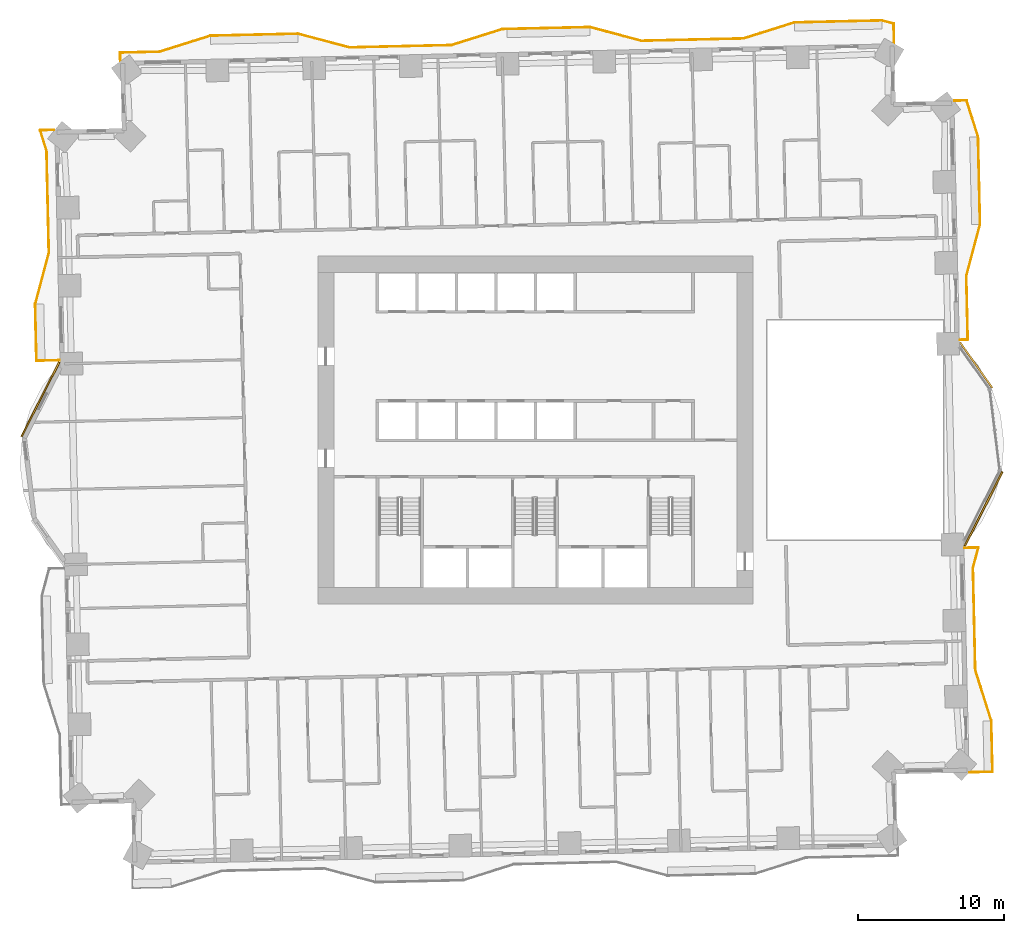
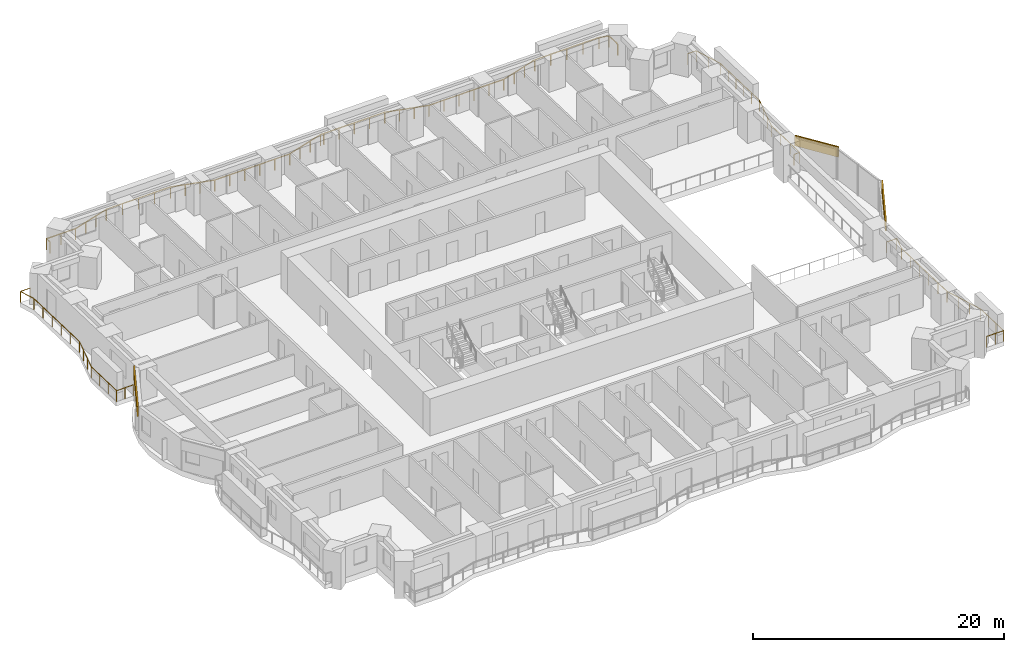
# One storey, part 16 of 16: 4 railings, 3 coverings.
"""IFC4 building model written with IfcOpenShell, lengths in metres."""

from ifc_helpers import new_model, si_unit, direction, frame, frame_2d, origin, origin_2d, place, context, subcontext, project, spatial, rectangle, extrude, material, layer, layer_set, type_object, element, save


model = new_model("IFC4")

# Units and contexts
model_context = context("Model", 3, precision=1e-05, world=origin(), true_north=direction((0.0, 1.0)))
body_context = subcontext(model_context, "Body", "Model", "MODEL_VIEW")
ifc_project = project(units=[si_unit("LENGTHUNIT", "METRE"), si_unit("AREAUNIT", "SQUARE_METRE"), si_unit("VOLUMEUNIT", "CUBIC_METRE"), si_unit("PLANEANGLEUNIT", "RADIAN"), si_unit("MASSUNIT", "GRAM", prefix="KILO")], contexts=[model_context])

# Site, building, storey
site_placement = place(None, origin())
site = spatial("IfcSite", under=ifc_project, at=site_placement, CompositionType="ELEMENT")
building_placement = place(site_placement, origin())
building = spatial("IfcBuilding", under=site, at=building_placement, Name="Mangrove Gate Tower", CompositionType="ELEMENT")
storey_placement = place(building_placement, frame((0.0, 0.0, 41.300048828125)))
storey = spatial("IfcBuildingStorey", under=building, at=storey_placement, Name="L09", CompositionType="ELEMENT", Elevation=41.300048828125)

# Railings
ifc_material_1 = material(Name="Stainless steel grade 316 with laminated glass infill", Category="steel")
railing_type = type_object("IfcRailingType", Name="Balcony guard 1100", PredefinedType="GUARDRAIL", material=ifc_material_1)
railing_1_placement = place(storey_placement, frame((29.742919921875, -23.444091796875, 0.0)))
element("IfcRailing", 1, at=railing_1_placement, inside=storey, type_object=railing_type, Name="GUARD L09 E1", PredefinedType="GUARDRAIL", context=body_context, shape_type="SweptSolid", body=[
    extrude(rectangle(XDim=0.048095703125, YDim=0.048095703125, at=origin_2d()), frame((0.0, 0.0, 1.076171875), z_axis=(0.999747444651, 0.022473248834, 0.0), x_axis=(-0.022473248834, 0.999747444651, 0.0)), (0.0, 0.0, 1.0), 1.564453125),
    extrude(rectangle(XDim=0.048095703125, YDim=0.048095703125, at=origin_2d()), frame((1.56396484375, 0.03515625, 1.076171875), z_axis=(-0.022810139511, 0.99973981492, 0.0), x_axis=(-0.99973981492, -0.022810139511, 0.0)), (0.0, 0.0, 1.0), 3.5),
    extrude(rectangle(XDim=0.048095703125, YDim=0.048095703125, at=origin_2d()), frame((1.484130859375, 3.5341796875, 1.076171875), z_axis=(-0.300711352929, 0.953715199742, 0.0), x_axis=(-0.953715199742, -0.300711352929, 0.0)), (0.0, 0.0, 1.0), 3.64453125),
    extrude(rectangle(XDim=0.048095703125, YDim=0.048095703125, at=origin_2d()), frame((0.38818359375, 7.010009765625, 1.076171875), z_axis=(-0.022740419861, 0.999741403216, 0.0), x_axis=(-0.999741403216, -0.022740419861, 0.0)), (0.0, 0.0, 1.0), 6.999755859375),
    extrude(rectangle(XDim=0.048095703125, YDim=0.048095703125, at=origin_2d()), frame((0.22900390625, 14.008056640625, 1.076171875), z_axis=(0.257068433304, 0.966393201859, 0.0), x_axis=(-0.966393201859, 0.257068433304, 0.0)), (0.0, 0.0, 1.0), 1.43212890625),
    extrude(rectangle(XDim=0.048095703125, YDim=0.048095703125, at=origin_2d()), frame((0.59716796875, 15.39208984375, 1.076171875), z_axis=(-0.999730390031, -0.023219544543, 0.0), x_axis=(0.023219544543, -0.999730390031, 0.0)), (0.0, 0.0, 1.0), 0.9462890625),
    extrude(rectangle(XDim=0.0419921875, YDim=0.0419921875, at=origin_2d()), origin(), (0.0, 0.0, 1.0), 1.052001953125),
    extrude(rectangle(XDim=0.0419921875, YDim=0.0419921875, at=origin_2d()), frame((0.781982421875, 0.017578125, 0.0)), (0.0, 0.0, 1.0), 1.052001953125),
    extrude(rectangle(XDim=0.0419921875, YDim=0.0419921875, at=origin_2d()), frame((1.56396484375, 0.03515625, 0.0)), (0.0, 0.0, 1.0), 1.052001953125),
    extrude(rectangle(XDim=0.0419921875, YDim=0.0419921875, at=origin_2d()), frame((1.537353515625, 1.201416015625, 0.0)), (0.0, 0.0, 1.0), 1.052001953125),
    extrude(rectangle(XDim=0.0419921875, YDim=0.0419921875, at=origin_2d()), frame((1.5107421875, 2.367919921875, 0.0)), (0.0, 0.0, 1.0), 1.052001953125),
    extrude(rectangle(XDim=0.0419921875, YDim=0.0419921875, at=origin_2d()), frame((1.484130859375, 3.5341796875, 0.0)), (0.0, 0.0, 1.0), 1.052001953125),
    extrude(rectangle(XDim=0.0419921875, YDim=0.0419921875, at=origin_2d()), frame((1.118896484375, 4.69287109375, 0.0)), (0.0, 0.0, 1.0), 1.052001953125),
    extrude(rectangle(XDim=0.0419921875, YDim=0.0419921875, at=origin_2d()), frame((0.75341796875, 5.851318359375, 0.0)), (0.0, 0.0, 1.0), 1.052001953125),
    extrude(rectangle(XDim=0.0419921875, YDim=0.0419921875, at=origin_2d()), frame((0.38818359375, 7.010009765625, 0.0)), (0.0, 0.0, 1.0), 1.052001953125),
    extrude(rectangle(XDim=0.0419921875, YDim=0.0419921875, at=origin_2d()), frame((0.3564453125, 8.40966796875, 0.0)), (0.0, 0.0, 1.0), 1.052001953125),
    extrude(rectangle(XDim=0.0419921875, YDim=0.0419921875, at=origin_2d()), frame((0.324462890625, 9.809326171875, 0.0)), (0.0, 0.0, 1.0), 1.052001953125),
    extrude(rectangle(XDim=0.0419921875, YDim=0.0419921875, at=origin_2d()), frame((0.292724609375, 11.208740234375, 0.0)), (0.0, 0.0, 1.0), 1.052001953125),
    extrude(rectangle(XDim=0.0419921875, YDim=0.0419921875, at=origin_2d()), frame((0.2607421875, 12.6083984375, 0.0)), (0.0, 0.0, 1.0), 1.052001953125),
    extrude(rectangle(XDim=0.0419921875, YDim=0.0419921875, at=origin_2d()), frame((0.22900390625, 14.008056640625, 0.0)), (0.0, 0.0, 1.0), 1.052001953125),
    extrude(rectangle(XDim=0.0419921875, YDim=0.0419921875, at=origin_2d()), frame((0.59716796875, 15.39208984375, 0.0)), (0.0, 0.0, 1.0), 1.052001953125),
    extrude(rectangle(XDim=0.0419921875, YDim=0.0419921875, at=origin_2d()), frame((-0.348876953125, 15.3701171875, 0.0)), (0.0, 0.0, 1.0), 1.052001953125),
])
railing_2_placement = place(storey_placement, frame((29.070068359375, 6.173095703125, 0.0)))
element("IfcRailing", 2, at=railing_2_placement, inside=storey, type_object=railing_type, Name="GUARD L09 E2", PredefinedType="GUARDRAIL", context=body_context, shape_type="SweptSolid", body=[
    extrude(rectangle(XDim=0.048095703125, YDim=0.048095703125, at=origin_2d()), frame((0.0, 0.0, 1.076171875), z_axis=(0.99976082802, 0.021869768113, 0.0), x_axis=(-0.021869768113, 0.99976082802, 0.0)), (0.0, 0.0, 1.0), 0.547119140625),
    extrude(rectangle(XDim=0.048095703125, YDim=0.048095703125, at=origin_2d()), frame((0.546875, 0.011962890625, 1.076171875), z_axis=(-0.022599718713, 0.999744593741, 0.0), x_axis=(-0.999744593741, -0.022599718713, 0.0)), (0.0, 0.0, 1.0), 4.375244140625),
    extrude(rectangle(XDim=0.048095703125, YDim=0.048095703125, at=origin_2d()), frame((0.447998046875, 4.385986328125, 1.076171875), z_axis=(0.257354119999, 0.966317161661, 0.0), x_axis=(-0.966317161661, 0.257354119999, 0.0)), (0.0, 0.0, 1.0), 3.644775390625),
    extrude(rectangle(XDim=0.048095703125, YDim=0.048095703125, at=origin_2d()), frame((1.385986328125, 7.907958984375, 1.076171875), z_axis=(-0.022662255828, 0.999743178102, 0.0), x_axis=(-0.999743178102, -0.022662255828, 0.0)), (0.0, 0.0, 1.0), 6.00048828125),
    extrude(rectangle(XDim=0.048095703125, YDim=0.048095703125, at=origin_2d()), frame((1.25, 13.906982421875, 1.076171875), z_axis=(-0.301167266968, 0.953571327855, 0.0), x_axis=(-0.953571327855, -0.301167266968, 0.0)), (0.0, 0.0, 1.0), 2.603759765625),
    extrude(rectangle(XDim=0.048095703125, YDim=0.048095703125, at=origin_2d()), frame((0.4658203125, 16.389892578125, 1.076171875), z_axis=(-0.999741232943, -0.022747904367, 0.0), x_axis=(0.022747904367, -0.999741232943, 0.0)), (0.0, 0.0, 1.0), 0.837158203125),
    extrude(rectangle(XDim=0.0419921875, YDim=0.0419921875, at=origin_2d()), origin(), (0.0, 0.0, 1.0), 1.052001953125),
    extrude(rectangle(XDim=0.0419921875, YDim=0.0419921875, at=origin_2d()), frame((0.546875, 0.011962890625, 0.0)), (0.0, 0.0, 1.0), 1.052001953125),
    extrude(rectangle(XDim=0.0419921875, YDim=0.0419921875, at=origin_2d()), frame((0.513916015625, 1.469970703125, 0.0)), (0.0, 0.0, 1.0), 1.052001953125),
    extrude(rectangle(XDim=0.0419921875, YDim=0.0419921875, at=origin_2d()), frame((0.48095703125, 2.927978515625, 0.0)), (0.0, 0.0, 1.0), 1.052001953125),
    extrude(rectangle(XDim=0.0419921875, YDim=0.0419921875, at=origin_2d()), frame((0.447998046875, 4.385986328125, 0.0)), (0.0, 0.0, 1.0), 1.052001953125),
    extrude(rectangle(XDim=0.0419921875, YDim=0.0419921875, at=origin_2d()), frame((0.7607421875, 5.56005859375, 0.0)), (0.0, 0.0, 1.0), 1.052001953125),
    extrude(rectangle(XDim=0.0419921875, YDim=0.0419921875, at=origin_2d()), frame((1.0732421875, 6.73388671875, 0.0)), (0.0, 0.0, 1.0), 1.052001953125),
    extrude(rectangle(XDim=0.0419921875, YDim=0.0419921875, at=origin_2d()), frame((1.385986328125, 7.907958984375, 0.0)), (0.0, 0.0, 1.0), 1.052001953125),
    extrude(rectangle(XDim=0.0419921875, YDim=0.0419921875, at=origin_2d()), frame((1.35888671875, 9.107666015625, 0.0)), (0.0, 0.0, 1.0), 1.052001953125),
    extrude(rectangle(XDim=0.0419921875, YDim=0.0419921875, at=origin_2d()), frame((1.33154296875, 10.3076171875, 0.0)), (0.0, 0.0, 1.0), 1.052001953125),
    extrude(rectangle(XDim=0.0419921875, YDim=0.0419921875, at=origin_2d()), frame((1.304443359375, 11.50732421875, 0.0)), (0.0, 0.0, 1.0), 1.052001953125),
    extrude(rectangle(XDim=0.0419921875, YDim=0.0419921875, at=origin_2d()), frame((1.277099609375, 12.707275390625, 0.0)), (0.0, 0.0, 1.0), 1.052001953125),
    extrude(rectangle(XDim=0.0419921875, YDim=0.0419921875, at=origin_2d()), frame((1.25, 13.906982421875, 0.0)), (0.0, 0.0, 1.0), 1.052001953125),
    extrude(rectangle(XDim=0.0419921875, YDim=0.0419921875, at=origin_2d()), frame((0.85791015625, 15.1484375, 0.0)), (0.0, 0.0, 1.0), 1.052001953125),
    extrude(rectangle(XDim=0.0419921875, YDim=0.0419921875, at=origin_2d()), frame((0.4658203125, 16.389892578125, 0.0)), (0.0, 0.0, 1.0), 1.052001953125),
    extrude(rectangle(XDim=0.0419921875, YDim=0.0419921875, at=origin_2d()), frame((-0.37109375, 16.370849609375, 0.0)), (0.0, 0.0, 1.0), 1.052001953125),
])
railing_3_placement = place(storey_placement, frame((24.568115234375, 26.490966796875, 0.0)))
element("IfcRailing", 3, at=railing_3_placement, inside=storey, type_object=railing_type, Name="GUARD L09 N1", PredefinedType="GUARDRAIL", context=body_context, shape_type="SweptSolid", body=[
    extrude(rectangle(XDim=0.048095703125, YDim=0.048095703125, at=origin_2d()), frame((0.0, 0.0, 1.076171875), z_axis=(-0.022538261671, 0.999745981118, 0.0), x_axis=(-0.999745981118, -0.022538261671, 0.0)), (0.0, 0.0, 1.0), 1.332275390625),
    extrude(rectangle(XDim=0.048095703125, YDim=0.048095703125, at=origin_2d()), frame((-0.030029296875, 1.33203125, 1.076171875), z_axis=(-0.966414656305, 0.256987766398, 0.0), x_axis=(-0.256987766398, -0.966414656305, 0.0)), (0.0, 0.0, 1.0), 0.833251953125),
    extrude(rectangle(XDim=0.048095703125, YDim=0.048095703125, at=origin_2d()), frame((-0.835205078125, 1.546142578125, 1.076171875), z_axis=(-0.999742150584, -0.022707539383, 0.0), x_axis=(0.022707539383, -0.999742150584, 0.0)), (0.0, 0.0, 1.0), 5.999267578125),
    extrude(rectangle(XDim=0.048095703125, YDim=0.048095703125, at=origin_2d()), frame((-6.8330078125, 1.409912109375, 1.076171875), z_axis=(-0.953644393819, -0.300935823952, 0.0), x_axis=(0.300935823952, -0.953644393819, 0.0)), (0.0, 0.0, 1.0), 3.64501953125),
    extrude(rectangle(XDim=0.048095703125, YDim=0.048095703125, at=origin_2d()), frame((-10.30908203125, 0.31298828125, 1.076171875), z_axis=(-0.999742267452, -0.022702393474, 0.0), x_axis=(0.022702393474, -0.999742267452, 0.0)), (0.0, 0.0, 1.0), 7.000732421875),
    extrude(rectangle(XDim=0.048095703125, YDim=0.048095703125, at=origin_2d()), frame((-17.30810546875, 0.154052734375, 1.076171875), z_axis=(-0.966317161661, 0.257354119999, 0.0), x_axis=(-0.257354119999, -0.966317161661, 0.0)), (0.0, 0.0, 1.0), 3.644775390625),
    extrude(rectangle(XDim=0.048095703125, YDim=0.048095703125, at=origin_2d()), frame((-20.830078125, 1.092041015625, 1.076171875), z_axis=(-0.999744196375, -0.022617290187, 0.0), x_axis=(0.022617290187, -0.999744196375, 0.0)), (0.0, 0.0, 1.0), 5.699462890625),
    extrude(rectangle(XDim=0.048095703125, YDim=0.048095703125, at=origin_2d()), frame((-26.528076171875, 0.963134765625, 1.076171875), z_axis=(-0.999721720687, -0.023589853458, 0.0), x_axis=(0.023589853458, -0.999721720687, 0.0)), (0.0, 0.0, 1.0), 0.300048828125),
    extrude(rectangle(XDim=0.048095703125, YDim=0.048095703125, at=origin_2d()), frame((-26.828125, 0.9560546875, 1.076171875), z_axis=(-0.953644393819, -0.300935823952, 0.0), x_axis=(0.300935823952, -0.953644393819, 0.0)), (0.0, 0.0, 1.0), 3.64501953125),
    extrude(rectangle(XDim=0.048095703125, YDim=0.048095703125, at=origin_2d()), frame((-30.30419921875, -0.140869140625, 1.076171875), z_axis=(-0.999744547421, -0.02260176767, 0.0), x_axis=(0.02260176767, -0.999744547421, 0.0)), (0.0, 0.0, 1.0), 6.99951171875),
    extrude(rectangle(XDim=0.048095703125, YDim=0.048095703125, at=origin_2d()), frame((-37.302001953125, -0.299072265625, 1.076171875), z_axis=(-0.966405896063, 0.257020707442, 0.0), x_axis=(-0.257020707442, -0.966405896063, 0.0)), (0.0, 0.0, 1.0), 3.645751953125),
    extrude(rectangle(XDim=0.048095703125, YDim=0.048095703125, at=origin_2d()), frame((-40.8251953125, 0.637939453125, 1.076171875), z_axis=(-0.999743073592, -0.022666865795, 0.0), x_axis=(0.022666865795, -0.999743073592, 0.0)), (0.0, 0.0, 1.0), 5.999267578125),
    extrude(rectangle(XDim=0.048095703125, YDim=0.048095703125, at=origin_2d()), frame((-46.822998046875, 0.501953125, 1.076171875), z_axis=(-0.953721256752, -0.300692142264, 0.0), x_axis=(0.300692142264, -0.953721256752, 0.0)), (0.0, 0.0, 1.0), 3.644775390625),
    extrude(rectangle(XDim=0.048095703125, YDim=0.048095703125, at=origin_2d()), frame((-50.299072265625, -0.593994140625, 1.076171875), z_axis=(-0.999736155505, -0.022969966847, 0.0), x_axis=(0.022969966847, -0.999736155505, 0.0)), (0.0, 0.0, 1.0), 2.69970703125),
    extrude(rectangle(XDim=0.048095703125, YDim=0.048095703125, at=origin_2d()), frame((-52.998046875, -0.656005859375, 1.076171875), z_axis=(0.021908872371, -0.999759971849, 0.0), x_axis=(0.999759971849, 0.021908872371, 0.0)), (0.0, 0.0, 1.0), 0.546142578125),
    extrude(rectangle(XDim=0.0419921875, YDim=0.0419921875, at=origin_2d()), origin(), (0.0, 0.0, 1.0), 1.052001953125),
    extrude(rectangle(XDim=0.0419921875, YDim=0.0419921875, at=origin_2d()), frame((-0.030029296875, 1.33203125, 0.0)), (0.0, 0.0, 1.0), 1.052001953125),
    extrude(rectangle(XDim=0.0419921875, YDim=0.0419921875, at=origin_2d()), frame((-0.835205078125, 1.546142578125, 0.0)), (0.0, 0.0, 1.0), 1.052001953125),
    extrude(rectangle(XDim=0.0419921875, YDim=0.0419921875, at=origin_2d()), frame((-2.334716796875, 1.51220703125, 0.0)), (0.0, 0.0, 1.0), 1.052001953125),
    extrude(rectangle(XDim=0.0419921875, YDim=0.0419921875, at=origin_2d()), frame((-3.833984375, 1.47802734375, 0.0)), (0.0, 0.0, 1.0), 1.052001953125),
    extrude(rectangle(XDim=0.0419921875, YDim=0.0419921875, at=origin_2d()), frame((-5.33349609375, 1.44384765625, 0.0)), (0.0, 0.0, 1.0), 1.052001953125),
    extrude(rectangle(XDim=0.0419921875, YDim=0.0419921875, at=origin_2d()), frame((-6.8330078125, 1.409912109375, 0.0)), (0.0, 0.0, 1.0), 1.052001953125),
    extrude(rectangle(XDim=0.0419921875, YDim=0.0419921875, at=origin_2d()), frame((-7.99169921875, 1.044189453125, 0.0)), (0.0, 0.0, 1.0), 1.052001953125),
    extrude(rectangle(XDim=0.0419921875, YDim=0.0419921875, at=origin_2d()), frame((-9.150390625, 0.6787109375, 0.0)), (0.0, 0.0, 1.0), 1.052001953125),
    extrude(rectangle(XDim=0.0419921875, YDim=0.0419921875, at=origin_2d()), frame((-10.30908203125, 0.31298828125, 0.0)), (0.0, 0.0, 1.0), 1.052001953125),
    extrude(rectangle(XDim=0.0419921875, YDim=0.0419921875, at=origin_2d()), frame((-11.708984375, 0.28125, 0.0)), (0.0, 0.0, 1.0), 1.052001953125),
    extrude(rectangle(XDim=0.0419921875, YDim=0.0419921875, at=origin_2d()), frame((-13.108642578125, 0.24951171875, 0.0)), (0.0, 0.0, 1.0), 1.052001953125),
    extrude(rectangle(XDim=0.0419921875, YDim=0.0419921875, at=origin_2d()), frame((-14.508544921875, 0.217529296875, 0.0)), (0.0, 0.0, 1.0), 1.052001953125),
    extrude(rectangle(XDim=0.0419921875, YDim=0.0419921875, at=origin_2d()), frame((-15.908203125, 0.185791015625, 0.0)), (0.0, 0.0, 1.0), 1.052001953125),
    extrude(rectangle(XDim=0.0419921875, YDim=0.0419921875, at=origin_2d()), frame((-17.30810546875, 0.154052734375, 0.0)), (0.0, 0.0, 1.0), 1.052001953125),
    extrude(rectangle(XDim=0.0419921875, YDim=0.0419921875, at=origin_2d()), frame((-18.482177734375, 0.466796875, 0.0)), (0.0, 0.0, 1.0), 1.052001953125),
    extrude(rectangle(XDim=0.0419921875, YDim=0.0419921875, at=origin_2d()), frame((-19.656005859375, 0.779296875, 0.0)), (0.0, 0.0, 1.0), 1.052001953125),
    extrude(rectangle(XDim=0.0419921875, YDim=0.0419921875, at=origin_2d()), frame((-20.830078125, 1.092041015625, 0.0)), (0.0, 0.0, 1.0), 1.052001953125),
    extrude(rectangle(XDim=0.0419921875, YDim=0.0419921875, at=origin_2d()), frame((-22.254638671875, 1.059814453125, 0.0)), (0.0, 0.0, 1.0), 1.052001953125),
    extrude(rectangle(XDim=0.0419921875, YDim=0.0419921875, at=origin_2d()), frame((-23.67919921875, 1.027587890625, 0.0)), (0.0, 0.0, 1.0), 1.052001953125),
    extrude(rectangle(XDim=0.0419921875, YDim=0.0419921875, at=origin_2d()), frame((-25.103515625, 0.995361328125, 0.0)), (0.0, 0.0, 1.0), 1.052001953125),
    extrude(rectangle(XDim=0.0419921875, YDim=0.0419921875, at=origin_2d()), frame((-26.528076171875, 0.963134765625, 0.0)), (0.0, 0.0, 1.0), 1.052001953125),
    extrude(rectangle(XDim=0.0419921875, YDim=0.0419921875, at=origin_2d()), frame((-26.828125, 0.9560546875, 0.0)), (0.0, 0.0, 1.0), 1.052001953125),
    extrude(rectangle(XDim=0.0419921875, YDim=0.0419921875, at=origin_2d()), frame((-27.98681640625, 0.59033203125, 0.0)), (0.0, 0.0, 1.0), 1.052001953125),
    extrude(rectangle(XDim=0.0419921875, YDim=0.0419921875, at=origin_2d()), frame((-29.1455078125, 0.224853515625, 0.0)), (0.0, 0.0, 1.0), 1.052001953125),
    extrude(rectangle(XDim=0.0419921875, YDim=0.0419921875, at=origin_2d()), frame((-30.30419921875, -0.140869140625, 0.0)), (0.0, 0.0, 1.0), 1.052001953125),
    extrude(rectangle(XDim=0.0419921875, YDim=0.0419921875, at=origin_2d()), frame((-31.703857421875, -0.172607421875, 0.0)), (0.0, 0.0, 1.0), 1.052001953125),
    extrude(rectangle(XDim=0.0419921875, YDim=0.0419921875, at=origin_2d()), frame((-33.103271484375, -0.2041015625, 0.0)), (0.0, 0.0, 1.0), 1.052001953125),
    extrude(rectangle(XDim=0.0419921875, YDim=0.0419921875, at=origin_2d()), frame((-34.5029296875, -0.23583984375, 0.0)), (0.0, 0.0, 1.0), 1.052001953125),
    extrude(rectangle(XDim=0.0419921875, YDim=0.0419921875, at=origin_2d()), frame((-35.90234375, -0.267333984375, 0.0)), (0.0, 0.0, 1.0), 1.052001953125),
    extrude(rectangle(XDim=0.0419921875, YDim=0.0419921875, at=origin_2d()), frame((-37.302001953125, -0.299072265625, 0.0)), (0.0, 0.0, 1.0), 1.052001953125),
    extrude(rectangle(XDim=0.0419921875, YDim=0.0419921875, at=origin_2d()), frame((-38.476318359375, 0.01318359375, 0.0)), (0.0, 0.0, 1.0), 1.052001953125),
    extrude(rectangle(XDim=0.0419921875, YDim=0.0419921875, at=origin_2d()), frame((-39.65087890625, 0.32568359375, 0.0)), (0.0, 0.0, 1.0), 1.052001953125),
    extrude(rectangle(XDim=0.0419921875, YDim=0.0419921875, at=origin_2d()), frame((-40.8251953125, 0.637939453125, 0.0)), (0.0, 0.0, 1.0), 1.052001953125),
    extrude(rectangle(XDim=0.0419921875, YDim=0.0419921875, at=origin_2d()), frame((-42.32470703125, 0.60400390625, 0.0)), (0.0, 0.0, 1.0), 1.052001953125),
    extrude(rectangle(XDim=0.0419921875, YDim=0.0419921875, at=origin_2d()), frame((-43.82421875, 0.56982421875, 0.0)), (0.0, 0.0, 1.0), 1.052001953125),
    extrude(rectangle(XDim=0.0419921875, YDim=0.0419921875, at=origin_2d()), frame((-45.323486328125, 0.535888671875, 0.0)), (0.0, 0.0, 1.0), 1.052001953125),
    extrude(rectangle(XDim=0.0419921875, YDim=0.0419921875, at=origin_2d()), frame((-46.822998046875, 0.501953125, 0.0)), (0.0, 0.0, 1.0), 1.052001953125),
    extrude(rectangle(XDim=0.0419921875, YDim=0.0419921875, at=origin_2d()), frame((-47.981689453125, 0.13671875, 0.0)), (0.0, 0.0, 1.0), 1.052001953125),
    extrude(rectangle(XDim=0.0419921875, YDim=0.0419921875, at=origin_2d()), frame((-49.140380859375, -0.228759765625, 0.0)), (0.0, 0.0, 1.0), 1.052001953125),
    extrude(rectangle(XDim=0.0419921875, YDim=0.0419921875, at=origin_2d()), frame((-50.299072265625, -0.593994140625, 0.0)), (0.0, 0.0, 1.0), 1.052001953125),
    extrude(rectangle(XDim=0.0419921875, YDim=0.0419921875, at=origin_2d()), frame((-51.6484375, -0.625, 0.0)), (0.0, 0.0, 1.0), 1.052001953125),
    extrude(rectangle(XDim=0.0419921875, YDim=0.0419921875, at=origin_2d()), frame((-52.998046875, -0.656005859375, 0.0)), (0.0, 0.0, 1.0), 1.052001953125),
    extrude(rectangle(XDim=0.0419921875, YDim=0.0419921875, at=origin_2d()), frame((-52.986083984375, -1.201904296875, 0.0)), (0.0, 0.0, 1.0), 1.052001953125),
])
railing_4_placement = place(storey_placement, frame((-32.951904296875, 20.5439453125, 0.0)))
element("IfcRailing", 4, at=railing_4_placement, inside=storey, type_object=railing_type, Name="GUARD L09 W1", PredefinedType="GUARDRAIL", context=body_context, shape_type="SweptSolid", body=[
    extrude(rectangle(XDim=0.048095703125, YDim=0.048095703125, at=origin_2d()), frame((0.0, 0.0, 1.076171875), z_axis=(-0.99975745671, -0.022023345614, 0.0), x_axis=(0.022023345614, -0.99975745671, 0.0)), (0.0, 0.0, 1.0), 0.953369140625),
    extrude(rectangle(XDim=0.048095703125, YDim=0.048095703125, at=origin_2d()), frame((-0.953125, -0.02099609375, 1.076171875), z_axis=(0.300362038688, -0.953825270013, 0.0), x_axis=(0.953825270013, 0.300362038688, 0.0)), (0.0, 0.0, 1.0), 1.458251953125),
    extrude(rectangle(XDim=0.048095703125, YDim=0.048095703125, at=origin_2d()), frame((-0.51513671875, -1.411865234375, 1.076171875), z_axis=(0.022705559911, -0.999742195543, 0.0), x_axis=(0.999742195543, 0.022705559911, 0.0)), (0.0, 0.0, 1.0), 6.999755859375),
    extrude(rectangle(XDim=0.048095703125, YDim=0.048095703125, at=origin_2d()), frame((-0.356201171875, -8.409912109375, 1.076171875), z_axis=(-0.257354119999, -0.966317161661, 0.0), x_axis=(0.966317161661, -0.257354119999, 0.0)), (0.0, 0.0, 1.0), 3.644775390625),
    extrude(rectangle(XDim=0.048095703125, YDim=0.048095703125, at=origin_2d()), frame((-1.294189453125, -11.931884765625, 1.076171875), z_axis=(0.022744303924, -0.999741314861, 0.0), x_axis=(0.999741314861, 0.022744303924, 0.0)), (0.0, 0.0, 1.0), 3.875),
    extrude(rectangle(XDim=0.048095703125, YDim=0.048095703125, at=origin_2d()), frame((-1.2060546875, -15.805908203125, 1.076171875), z_axis=(0.999736816093, 0.022941197622, 0.0), x_axis=(-0.022941197622, 0.999736816093, 0.0)), (0.0, 0.0, 1.0), 1.564453125),
    extrude(rectangle(XDim=0.0419921875, YDim=0.0419921875, at=origin_2d()), origin(), (0.0, 0.0, 1.0), 1.052001953125),
    extrude(rectangle(XDim=0.0419921875, YDim=0.0419921875, at=origin_2d()), frame((-0.953125, -0.02099609375, 0.0)), (0.0, 0.0, 1.0), 1.052001953125),
    extrude(rectangle(XDim=0.0419921875, YDim=0.0419921875, at=origin_2d()), frame((-0.51513671875, -1.411865234375, 0.0)), (0.0, 0.0, 1.0), 1.052001953125),
    extrude(rectangle(XDim=0.0419921875, YDim=0.0419921875, at=origin_2d()), frame((-0.4833984375, -2.8115234375, 0.0)), (0.0, 0.0, 1.0), 1.052001953125),
    extrude(rectangle(XDim=0.0419921875, YDim=0.0419921875, at=origin_2d()), frame((-0.45166015625, -4.211181640625, 0.0)), (0.0, 0.0, 1.0), 1.052001953125),
    extrude(rectangle(XDim=0.0419921875, YDim=0.0419921875, at=origin_2d()), frame((-0.419677734375, -5.610595703125, 0.0)), (0.0, 0.0, 1.0), 1.052001953125),
    extrude(rectangle(XDim=0.0419921875, YDim=0.0419921875, at=origin_2d()), frame((-0.387939453125, -7.01025390625, 0.0)), (0.0, 0.0, 1.0), 1.052001953125),
    extrude(rectangle(XDim=0.0419921875, YDim=0.0419921875, at=origin_2d()), frame((-0.356201171875, -8.409912109375, 0.0)), (0.0, 0.0, 1.0), 1.052001953125),
    extrude(rectangle(XDim=0.0419921875, YDim=0.0419921875, at=origin_2d()), frame((-0.6689453125, -9.583984375, 0.0)), (0.0, 0.0, 1.0), 1.052001953125),
    extrude(rectangle(XDim=0.0419921875, YDim=0.0419921875, at=origin_2d()), frame((-0.9814453125, -10.7578125, 0.0)), (0.0, 0.0, 1.0), 1.052001953125),
    extrude(rectangle(XDim=0.0419921875, YDim=0.0419921875, at=origin_2d()), frame((-1.294189453125, -11.931884765625, 0.0)), (0.0, 0.0, 1.0), 1.052001953125),
    extrude(rectangle(XDim=0.0419921875, YDim=0.0419921875, at=origin_2d()), frame((-1.264892578125, -13.22314453125, 0.0)), (0.0, 0.0, 1.0), 1.052001953125),
    extrude(rectangle(XDim=0.0419921875, YDim=0.0419921875, at=origin_2d()), frame((-1.2353515625, -14.5146484375, 0.0)), (0.0, 0.0, 1.0), 1.052001953125),
    extrude(rectangle(XDim=0.0419921875, YDim=0.0419921875, at=origin_2d()), frame((-1.2060546875, -15.805908203125, 0.0)), (0.0, 0.0, 1.0), 1.052001953125),
    extrude(rectangle(XDim=0.0419921875, YDim=0.0419921875, at=origin_2d()), frame((-0.424072265625, -15.7880859375, 0.0)), (0.0, 0.0, 1.0), 1.052001953125),
    extrude(rectangle(XDim=0.0419921875, YDim=0.0419921875, at=origin_2d()), frame((0.35791015625, -15.77001953125, 0.0)), (0.0, 0.0, 1.0), 1.052001953125),
])

# Coverings
ifc_material_2 = material(Name="Limestone", Category="masonry")
ifc_layer_1 = layer(ifc_material_2, 0.0400390625, Name="Limestone cladding")
ifc_material_3 = material(Name="Stainless steel anchors and cavity", Category="steel")
ifc_layer_2 = layer(ifc_material_3, 0.080078125, Name="Fixing cavity")
ifc_layer_set = layer_set([ifc_layer_1, ifc_layer_2], Name="Joint fascia cladding 120")
covering_type = type_object("IfcCoveringType", Name="Joint fascia cladding 120", PredefinedType="CLADDING", material=ifc_layer_set)
covering_1_placement = place(storey_placement, frame((29.401123046875, -7.947509765625, 2.050048828125), z_axis=(0.0, 0.0, 1.0), x_axis=(0.452615399326, 0.89170583731, 0.0)))
element("IfcCovering", 5, at=covering_1_placement, inside=storey, type_object=covering_type, Name="STONE FASCIA L09 E1.L1", PredefinedType="CLADDING", context=body_context, shape_type="SweptSolid", body=[
    extrude(rectangle(XDim=5.7041015625, YDim=0.1201171875, at=frame_2d((2.85205078125, 0.0))), origin(), (0.0, 0.0, 1.0), 1.0),
])
covering_2_placement = place(storey_placement, frame((31.285888671875, 2.886962890625, 2.050048828125), z_axis=(0.0, 0.0, 1.0), x_axis=(-0.578168098379, 0.815917673553, 0.0)))
element("IfcCovering", 6, at=covering_2_placement, inside=storey, type_object=covering_type, Name="STONE FASCIA L09 E1.L2", PredefinedType="CLADDING", context=body_context, shape_type="SweptSolid", body=[
    extrude(rectangle(XDim=3.819091796875, YDim=0.1201171875, at=frame_2d((1.90966796875, 0.0))), origin(), (0.0, 0.0, 1.0), 1.0),
])
covering_3_placement = place(storey_placement, frame((-32.601318359375, 4.6474609375, 2.050048828125), z_axis=(0.0, 0.0, 1.0), x_axis=(-0.452615399326, -0.89170583731, 0.0)))
element("IfcCovering", 7, at=covering_3_placement, inside=storey, type_object=covering_type, Name="STONE FASCIA L09 W9.L1", PredefinedType="CLADDING", context=body_context, shape_type="SweptSolid", body=[
    extrude(rectangle(XDim=5.7041015625, YDim=0.1201171875, at=frame_2d((2.85205078125, 0.0))), origin(), (0.0, 0.0, 1.0), 1.0),
])

save(model, "model.ifc")
